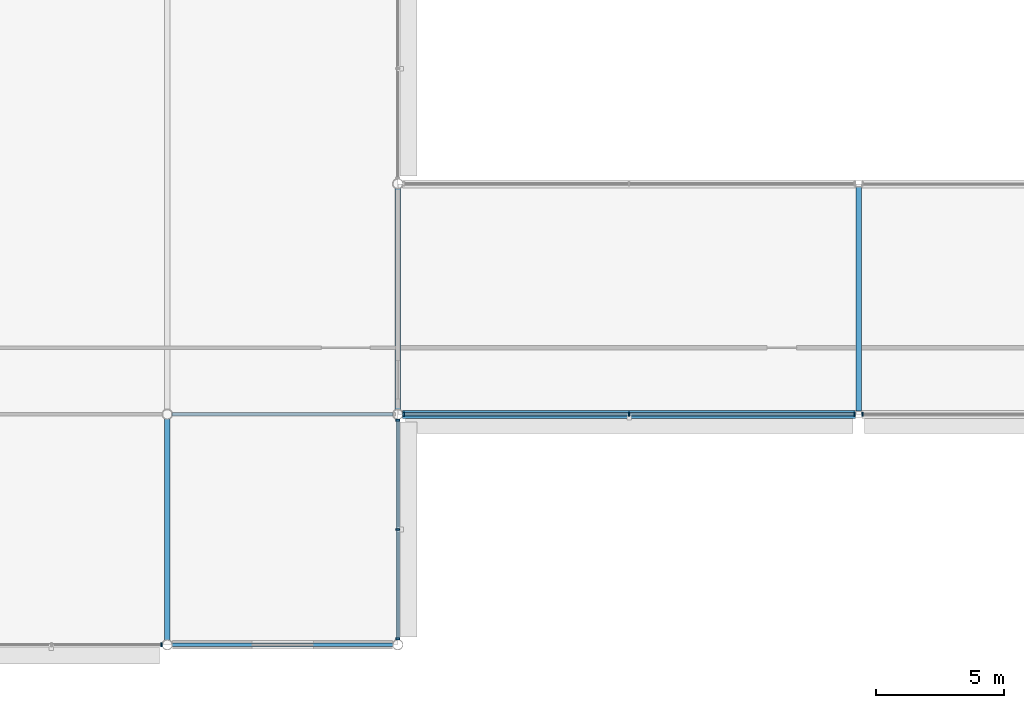
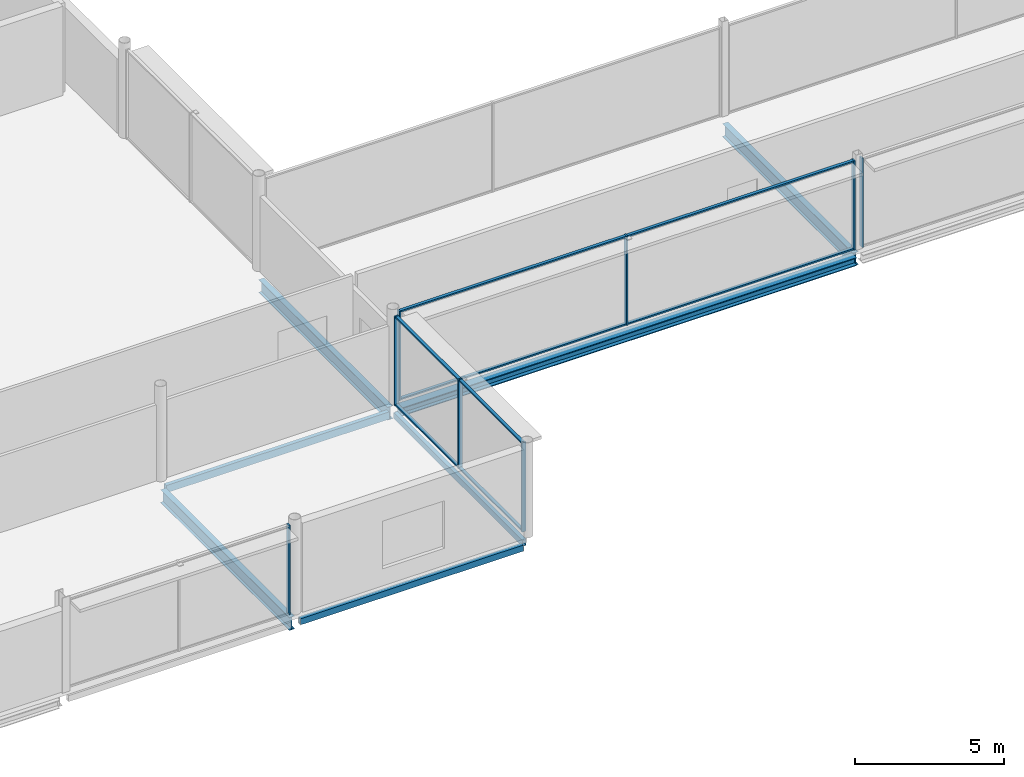
# One storey, part 20 of 96: 16 members, 7 beams, 4 elements without a shape of their own.
"""IFC4 building model written with IfcOpenShell, lengths in metres."""

from ifc_helpers import new_model, si_unit, direction, frame, origin, origin_2d, place, context, subcontext, project, spatial, rectangle, hollow_rectangle, i_section, extrude, material, layer, layer_set, material_profile, profile_set, type_object, element, aggregate, save


model = new_model("IFC4")

# Units and contexts
model_context = context("Model", 3, precision=1e-05, world=origin(), true_north=direction((0.0, 1.0)))
body_context = subcontext(model_context, "Body", "Model", "MODEL_VIEW")
ifc_project = project(units=[si_unit("LENGTHUNIT", "METRE"), si_unit("AREAUNIT", "SQUARE_METRE"), si_unit("VOLUMEUNIT", "CUBIC_METRE"), si_unit("PLANEANGLEUNIT", "RADIAN"), si_unit("MASSUNIT", "GRAM", prefix="KILO")], contexts=[model_context])

# Site, building, storey
site_placement = place(None, origin())
site = spatial("IfcSite", under=ifc_project, at=site_placement, CompositionType="ELEMENT")
building_placement = place(site_placement, origin())
building = spatial("IfcBuilding", under=site, at=building_placement, Name="Kisiwana Market Hall", CompositionType="ELEMENT")
storey_placement = place(building_placement, frame((0.0, 0.0, 25.5)))
storey = spatial("IfcBuildingStorey", under=building, at=storey_placement, Name="L05", CompositionType="ELEMENT", Elevation=25.5)

# Beams
ifc_material_1 = material(Name="Steel S355", Category="steel")
ifc_material_profile_1 = material_profile(ifc_material_1, i_section(OverallWidth=0.209228515625, OverallDepth=0.533203125, WebThickness=0.010009765625, FlangeThickness=0.015625, at=origin_2d()), Name="UB 533x210x92")
ifc_profile_set_1 = profile_set([ifc_material_profile_1], Name="Steel S355")
beam_type_1 = type_object("IfcBeamType", Name="BM-GIRD-UB533", PredefinedType="BEAM", material=ifc_profile_set_1)
for number, where, z_axis, x_axis, name in (
    (1, (36.0, 9.18017578125, -0.58154296875), (0.0, 1.0, 0.0), (-1.0, 0.0, 0.0), "Primary girder B-1531"),
    (2, (45.0, 18.18017578125, -0.58154296875), (0.0, 1.0, 0.0), (-1.0, 0.0, 0.0), "Primary girder B-1537"),
):
    element("IfcBeam", number, at=place(storey_placement, frame(where, z_axis=z_axis, x_axis=x_axis)), inside=storey, type_object=beam_type_1, Name=name, PredefinedType="BEAM", context=body_context, shape_type="SweptSolid", body=[
        extrude(i_section(OverallWidth=0.209228515625, OverallDepth=0.533203125, WebThickness=0.010009765625, FlangeThickness=0.015625, at=origin_2d()), origin(), (0.0, 0.0, 1.0), 8.6396484375),
    ])
beam_1_placement = place(storey_placement, frame((63.0, 18.12109375, -0.531494140625), z_axis=(0.0, 1.0, 0.0), x_axis=(-1.0, 0.0, 0.0)))
element("IfcBeam", 3, at=beam_1_placement, inside=storey, type_object=beam_type_1, Name="Primary girder B-1539", PredefinedType="BEAM", context=body_context, shape_type="SweptSolid", body=[
    extrude(i_section(OverallWidth=0.209228515625, OverallDepth=0.533203125, WebThickness=0.010009765625, FlangeThickness=0.015625, at=origin_2d()), origin(), (0.0, 0.0, 1.0), 8.7578125),
])
ifc_material_2 = material(Name="Steel S355", Category="steel")
ifc_material_profile_2 = material_profile(ifc_material_2, i_section(OverallWidth=0.314453125, OverallDepth=0.33984375, WebThickness=0.01904296875, FlangeThickness=0.031494140625, at=origin_2d()), Name="UC 305x305x198")
ifc_profile_set_2 = profile_set([ifc_material_profile_2], Name="Steel S355")
beam_type_2 = type_object("IfcBeamType", Name="BM-SKYBR-CHORD", PredefinedType="BEAM", material=ifc_profile_set_2)
beam_2_placement = place(storey_placement, frame((45.182373046875, 18.0, -0.43505859375), z_axis=(1.0, 0.0, 0.0), x_axis=(0.0, 1.0, 0.0)))
element("IfcBeam", 4, at=beam_2_placement, inside=storey, type_object=beam_type_2, Name="Floor beam B-1607", PredefinedType="BEAM", context=body_context, shape_type="SweptSolid", body=[
    extrude(i_section(OverallWidth=0.314453125, OverallDepth=0.33984375, WebThickness=0.01904296875, FlangeThickness=0.031494140625, at=origin_2d()), origin(), (0.0, 0.0, 1.0), 17.696533203125),
])
ifc_material_3 = material(Name="Steel S355", Category="steel")
ifc_material_profile_3 = material_profile(ifc_material_3, hollow_rectangle(XDim=0.14990234375, YDim=0.25, WallThickness=0.010009765625, at=origin_2d()), Name="RHS 250x150x10.0")
ifc_profile_set_3 = profile_set([ifc_material_profile_3], Name="Steel S355")
beam_type_3 = type_object("IfcBeamType", Name="BM-SPAN-RHS250", PredefinedType="SPANDREL", material=ifc_profile_set_3)
beam_3_placement = place(storey_placement, frame((36.182373046875, 9.0, -0.43994140625), z_axis=(1.0, 0.0, 0.0), x_axis=(0.0, 1.0, 0.0)))
element("IfcBeam", 5, at=beam_3_placement, inside=storey, type_object=beam_type_3, Name="Floor beam B-1598", PredefinedType="SPANDREL", context=body_context, shape_type="SweptSolid", body=[
    extrude(hollow_rectangle(XDim=0.14990234375, YDim=0.25, WallThickness=0.010009765625, at=origin_2d()), origin(), (0.0, 0.0, 1.0), 8.63525390625),
])
beam_4_placement = place(storey_placement, frame((45.0, 9.18017578125, -0.43994140625), z_axis=(0.0, 1.0, 0.0), x_axis=(-1.0, 0.0, 0.0)))
element("IfcBeam", 6, at=beam_4_placement, inside=storey, type_object=beam_type_3, Name="Floor beam B-1677", PredefinedType="SPANDREL", context=body_context, shape_type="SweptSolid", body=[
    extrude(hollow_rectangle(XDim=0.14990234375, YDim=0.25, WallThickness=0.010009765625, at=origin_2d()), origin(), (0.0, 0.0, 1.0), 8.6396484375),
])
ifc_material_4 = material(Name="Steel S355", Category="steel")
ifc_material_profile_4 = material_profile(ifc_material_4, hollow_rectangle(XDim=0.14990234375, YDim=0.300048828125, WallThickness=0.010009765625, at=origin_2d()), Name="RHS 300x150x10")
ifc_profile_set_4 = profile_set([ifc_material_profile_4], Name="Steel S355")
beam_type_4 = type_object("IfcBeamType", Name="BM-SPAN-RHS300", PredefinedType="SPANDREL", material=ifc_profile_set_4)
beam_5_placement = place(storey_placement, frame((36.182373046875, 18.0, -0.465087890625), z_axis=(1.0, 0.0, 0.0), x_axis=(0.0, 1.0, 0.0)))
element("IfcBeam", 7, at=beam_5_placement, inside=storey, type_object=beam_type_4, Name="Floor beam B-1606", PredefinedType="SPANDREL", context=body_context, shape_type="SweptSolid", body=[
    extrude(hollow_rectangle(XDim=0.14990234375, YDim=0.300048828125, WallThickness=0.010009765625, at=origin_2d()), origin(), (0.0, 0.0, 1.0), 8.63525390625),
])

# Curtain wall, member
ifc_material_5 = material(Name="Double-glazed solar-control low-E IGU", Category="glass")
ifc_layer = layer(ifc_material_5, 0.159912109375)
ifc_layer_set = layer_set([ifc_layer], Name="CW-ZNA-EW-8200")
curtain_wall_type = type_object("IfcCurtainWallType", Name="CW-ZNA-EW-8200", PredefinedType="USERDEFINED", material=ifc_layer_set)
curtain_wall_1_placement = place(storey_placement, origin())
curtain_wall_1 = element("IfcCurtainWall", 8, at=curtain_wall_1_placement, inside=storey, type_object=curtain_wall_type, Name="Unitised curtain wall CW-130 (L05)", ObjectType="UNITISED CURTAIN WALL", PredefinedType="USERDEFINED")
ifc_material_6 = material(Name="Aluminium alloy 6063-T6", Category="aluminium")
ifc_material_profile_5 = material_profile(ifc_material_6, rectangle(XDim=0.06005859375, YDim=0.159912109375, at=origin_2d()), Name="ALU MULLION 60x160")
ifc_profile_set_5 = profile_set([ifc_material_profile_5], Name="Aluminium alloy 6063-T6")
member_type_1 = type_object("IfcMemberType", Name="CW-MULL-60x160", PredefinedType="MULLION", material=ifc_profile_set_5)
member_1_placement = place(storey_placement, frame((35.766845703125, 9.0, 0.0), z_axis=(0.0, 0.0, 1.0), x_axis=(1.0, 0.0, 0.0)))
member_1 = element("IfcMember", 9, at=member_1_placement, type_object=member_type_1, Name="CW-130 mullion 3", PredefinedType="MULLION", context=body_context, shape_type="SweptSolid", body=[
    extrude(rectangle(XDim=0.06005859375, YDim=0.159912109375, at=origin_2d()), origin(), (0.0, 0.0, 1.0), 3.655029296875),
])
aggregate(curtain_wall_1, [member_1])

# Curtain wall, members
curtain_wall_2_placement = place(storey_placement, origin())
curtain_wall_2 = element("IfcCurtainWall", 10, at=curtain_wall_2_placement, inside=storey, type_object=curtain_wall_type, Name="Unitised curtain wall CW-132 (L05)", ObjectType="UNITISED CURTAIN WALL", PredefinedType="USERDEFINED")
member_2_placement = place(storey_placement, frame((45.233154296875, 18.0, 0.0), z_axis=(0.0, 0.0, 1.0), x_axis=(1.0, 0.0, 0.0)))
member_2 = element("IfcMember", 11, at=member_2_placement, type_object=member_type_1, Name="CW-132 mullion 1", PredefinedType="MULLION", context=body_context, shape_type="SweptSolid", body=[
    extrude(rectangle(XDim=0.06005859375, YDim=0.159912109375, at=origin_2d()), origin(), (0.0, 0.0, 1.0), 3.655029296875),
])
member_3_placement = place(storey_placement, frame((54.0390625, 18.0, 0.0), z_axis=(0.0, 0.0, 1.0), x_axis=(1.0, 0.0, 0.0)))
member_3 = element("IfcMember", 12, at=member_3_placement, type_object=member_type_1, Name="CW-132 mullion 2", PredefinedType="MULLION", context=body_context, shape_type="SweptSolid", body=[
    extrude(rectangle(XDim=0.06005859375, YDim=0.159912109375, at=origin_2d()), origin(), (0.0, 0.0, 1.0), 3.655029296875),
])
member_4_placement = place(storey_placement, frame((62.844970703125, 18.0, 0.0), z_axis=(0.0, 0.0, 1.0), x_axis=(1.0, 0.0, 0.0)))
member_4 = element("IfcMember", 13, at=member_4_placement, type_object=member_type_1, Name="CW-132 mullion 3", PredefinedType="MULLION", context=body_context, shape_type="SweptSolid", body=[
    extrude(rectangle(XDim=0.06005859375, YDim=0.159912109375, at=origin_2d()), origin(), (0.0, 0.0, 1.0), 3.655029296875),
])

# Curtain wall, member
curtain_wall_3_placement = place(storey_placement, origin())
curtain_wall_3 = element("IfcCurtainWall", 14, at=curtain_wall_3_placement, inside=storey, type_object=curtain_wall_type, Name="Unitised curtain wall CW-133 (L05)", ObjectType="UNITISED CURTAIN WALL", PredefinedType="USERDEFINED")
member_5_placement = place(storey_placement, frame((63.155029296875, 18.0, 0.0), z_axis=(0.0, 0.0, 1.0), x_axis=(1.0, 0.0, 0.0)))
member_5 = element("IfcMember", 15, at=member_5_placement, type_object=member_type_1, Name="CW-133 mullion 1", PredefinedType="MULLION", context=body_context, shape_type="SweptSolid", body=[
    extrude(rectangle(XDim=0.06005859375, YDim=0.159912109375, at=origin_2d()), origin(), (0.0, 0.0, 1.0), 3.655029296875),
])
aggregate(curtain_wall_3, [member_5])

# Curtain wall, members
curtain_wall_4_placement = place(storey_placement, origin())
curtain_wall_4 = element("IfcCurtainWall", 16, at=curtain_wall_4_placement, inside=storey, type_object=curtain_wall_type, Name="Unitised curtain wall CW-160 (L05)", ObjectType="UNITISED CURTAIN WALL", PredefinedType="USERDEFINED")
member_6_placement = place(storey_placement, frame((45.0, 9.233154296875, 0.0), z_axis=(0.0, 0.0, 1.0), x_axis=(0.0, 1.0, 0.0)))
member_6 = element("IfcMember", 17, at=member_6_placement, type_object=member_type_1, Name="CW-160 mullion 1", PredefinedType="MULLION", context=body_context, shape_type="SweptSolid", body=[
    extrude(rectangle(XDim=0.06005859375, YDim=0.159912109375, at=origin_2d()), origin(), (0.0, 0.0, 1.0), 3.655029296875),
])
member_7_placement = place(storey_placement, frame((45.0, 13.5, 0.0), z_axis=(0.0, 0.0, 1.0), x_axis=(0.0, 1.0, 0.0)))
member_7 = element("IfcMember", 18, at=member_7_placement, type_object=member_type_1, Name="CW-160 mullion 2", PredefinedType="MULLION", context=body_context, shape_type="SweptSolid", body=[
    extrude(rectangle(XDim=0.06005859375, YDim=0.159912109375, at=origin_2d()), origin(), (0.0, 0.0, 1.0), 3.655029296875),
])
member_8_placement = place(storey_placement, frame((45.0, 17.766845703125, 0.0), z_axis=(0.0, 0.0, 1.0), x_axis=(0.0, 1.0, 0.0)))
member_8 = element("IfcMember", 19, at=member_8_placement, type_object=member_type_1, Name="CW-160 mullion 3", PredefinedType="MULLION", context=body_context, shape_type="SweptSolid", body=[
    extrude(rectangle(XDim=0.06005859375, YDim=0.159912109375, at=origin_2d()), origin(), (0.0, 0.0, 1.0), 3.655029296875),
])

# Member
ifc_material_7 = material(Name="Aluminium alloy 6063-T6", Category="aluminium")
ifc_material_profile_6 = material_profile(ifc_material_7, rectangle(XDim=0.1201171875, YDim=0.06005859375, at=origin_2d()), Name="ALU TRANSOM 60x120")
ifc_profile_set_6 = profile_set([ifc_material_profile_6], Name="Aluminium alloy 6063-T6")
member_type_2 = type_object("IfcMemberType", Name="CW-TRAN-60x120", PredefinedType="USERDEFINED", material=ifc_profile_set_6)
member_9_placement = place(storey_placement, frame((45.26318359375, 18.0, 0.030029296875), z_axis=(1.0, 0.0, 0.0), x_axis=(0.0, 1.0, 0.0)))
member_9 = element("IfcMember", 20, at=member_9_placement, type_object=member_type_2, Name="CW-132 transom 1.1", ObjectType="TRANSOM", PredefinedType="USERDEFINED", context=body_context, shape_type="SweptSolid", body=[
    extrude(rectangle(XDim=0.1201171875, YDim=0.06005859375, at=origin_2d()), origin(), (0.0, 0.0, 1.0), 8.745849609375),
])

member_10_placement = place(storey_placement, frame((45.26318359375, 18.0, 3.625), z_axis=(1.0, 0.0, 0.0), x_axis=(0.0, 1.0, 0.0)))
member_10 = element("IfcMember", 21, at=member_10_placement, type_object=member_type_2, Name="CW-132 transom 1.2", ObjectType="TRANSOM", PredefinedType="USERDEFINED", context=body_context, shape_type="SweptSolid", body=[
    extrude(rectangle(XDim=0.1201171875, YDim=0.06005859375, at=origin_2d()), origin(), (0.0, 0.0, 1.0), 8.745849609375),
])

member_11_placement = place(storey_placement, frame((54.069091796875, 18.0, 0.030029296875), z_axis=(1.0, 0.0, 0.0), x_axis=(0.0, 1.0, 0.0)))
member_11 = element("IfcMember", 22, at=member_11_placement, type_object=member_type_2, Name="CW-132 transom 2.1", ObjectType="TRANSOM", PredefinedType="USERDEFINED", context=body_context, shape_type="SweptSolid", body=[
    extrude(rectangle(XDim=0.1201171875, YDim=0.06005859375, at=origin_2d()), origin(), (0.0, 0.0, 1.0), 8.745849609375),
])

member_12_placement = place(storey_placement, frame((54.069091796875, 18.0, 3.625), z_axis=(1.0, 0.0, 0.0), x_axis=(0.0, 1.0, 0.0)))
member_12 = element("IfcMember", 23, at=member_12_placement, type_object=member_type_2, Name="CW-132 transom 2.2", ObjectType="TRANSOM", PredefinedType="USERDEFINED", context=body_context, shape_type="SweptSolid", body=[
    extrude(rectangle(XDim=0.1201171875, YDim=0.06005859375, at=origin_2d()), origin(), (0.0, 0.0, 1.0), 8.745849609375),
])

aggregate(curtain_wall_2, [member_2, member_3, member_4, member_9, member_10, member_11, member_12])

member_13_placement = place(storey_placement, frame((45.0, 9.26318359375, 0.030029296875), z_axis=(0.0, 1.0, 0.0), x_axis=(-1.0, 0.0, 0.0)))
member_13 = element("IfcMember", 24, at=member_13_placement, type_object=member_type_2, Name="CW-160 transom 1.1", ObjectType="TRANSOM", PredefinedType="USERDEFINED", context=body_context, shape_type="SweptSolid", body=[
    extrude(rectangle(XDim=0.1201171875, YDim=0.06005859375, at=origin_2d()), origin(), (0.0, 0.0, 1.0), 4.206787109375),
])

member_14_placement = place(storey_placement, frame((45.0, 9.26318359375, 3.625), z_axis=(0.0, 1.0, 0.0), x_axis=(-1.0, 0.0, 0.0)))
member_14 = element("IfcMember", 25, at=member_14_placement, type_object=member_type_2, Name="CW-160 transom 1.2", ObjectType="TRANSOM", PredefinedType="USERDEFINED", context=body_context, shape_type="SweptSolid", body=[
    extrude(rectangle(XDim=0.1201171875, YDim=0.06005859375, at=origin_2d()), origin(), (0.0, 0.0, 1.0), 4.206787109375),
])

member_15_placement = place(storey_placement, frame((45.0, 13.530029296875, 0.030029296875), z_axis=(0.0, 1.0, 0.0), x_axis=(-1.0, 0.0, 0.0)))
member_15 = element("IfcMember", 26, at=member_15_placement, type_object=member_type_2, Name="CW-160 transom 2.1", ObjectType="TRANSOM", PredefinedType="USERDEFINED", context=body_context, shape_type="SweptSolid", body=[
    extrude(rectangle(XDim=0.1201171875, YDim=0.06005859375, at=origin_2d()), origin(), (0.0, 0.0, 1.0), 4.206787109375),
])

member_16_placement = place(storey_placement, frame((45.0, 13.530029296875, 3.625), z_axis=(0.0, 1.0, 0.0), x_axis=(-1.0, 0.0, 0.0)))
member_16 = element("IfcMember", 27, at=member_16_placement, type_object=member_type_2, Name="CW-160 transom 2.2", ObjectType="TRANSOM", PredefinedType="USERDEFINED", context=body_context, shape_type="SweptSolid", body=[
    extrude(rectangle(XDim=0.1201171875, YDim=0.06005859375, at=origin_2d()), origin(), (0.0, 0.0, 1.0), 4.206787109375),
])

aggregate(curtain_wall_4, [member_6, member_7, member_8, member_13, member_14, member_15, member_16])

save(model, "model.ifc")
